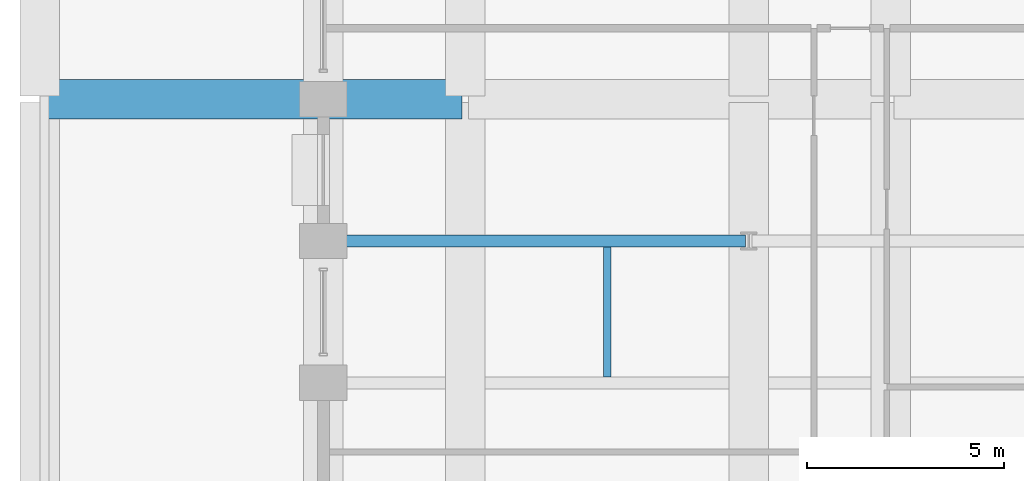
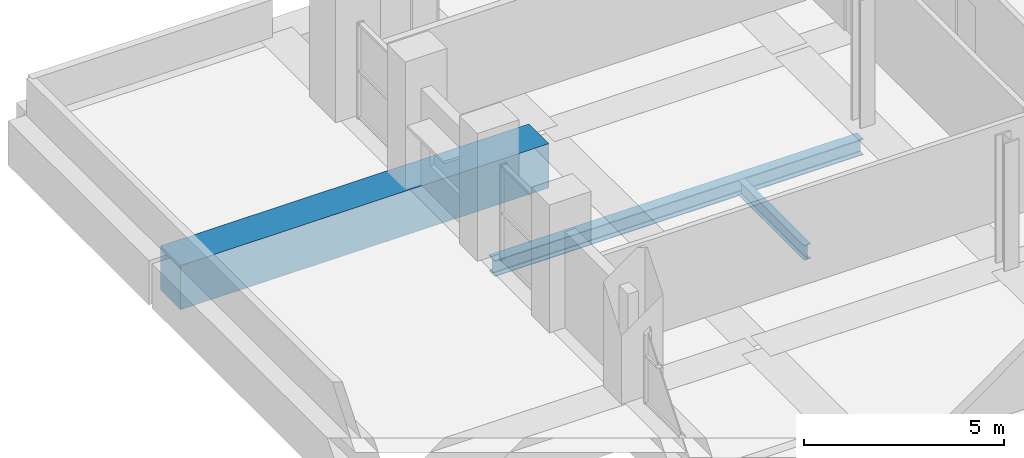
# One storey, part 22 of 39: 3 beams.
"""IFC4 building model written with IfcOpenShell, lengths in metres."""

from ifc_helpers import new_model, si_unit, direction, frame, origin, origin_2d, place, context, subcontext, project, spatial, rectangle, i_section, extrude, material, material_profile, profile_set, type_object, element, save


model = new_model("IFC4")

# Units and contexts
model_context = context("Model", 3, precision=1e-05, world=origin(), true_north=direction((0.0, 1.0)))
body_context = subcontext(model_context, "Body", "Model", "MODEL_VIEW")
ifc_project = project(units=[si_unit("LENGTHUNIT", "METRE"), si_unit("AREAUNIT", "SQUARE_METRE"), si_unit("VOLUMEUNIT", "CUBIC_METRE"), si_unit("PLANEANGLEUNIT", "RADIAN"), si_unit("MASSUNIT", "GRAM", prefix="KILO")], contexts=[model_context])

# Site, building, storey
site_placement = place(None, origin())
site = spatial("IfcSite", under=ifc_project, at=site_placement, CompositionType="ELEMENT")
building_placement = place(site_placement, origin())
building = spatial("IfcBuilding", under=site, at=building_placement, Name="Solnavia Interchange Tower", CompositionType="ELEMENT")
storey_placement = place(building_placement, frame((0.0, 0.0, 24.0)))
storey = spatial("IfcBuildingStorey", under=building, at=storey_placement, Name="L05", CompositionType="ELEMENT", Elevation=24.0)

# Beams
ifc_material_1 = material(Name="Steel S355", Category="steel")
ifc_material_profile_1 = material_profile(ifc_material_1, i_section(OverallWidth=0.18994140625, OverallDepth=0.449951171875, WebThickness=0.009521484375, FlangeThickness=0.0146484375, FilletRadius=0.02099609375, at=origin_2d()), Name="IPE 450")
ifc_profile_set_1 = profile_set([ifc_material_profile_1], Name="Steel S355")
beam_type_1 = type_object("IfcBeamType", Name="Beam-Joist-IPE450", PredefinedType="JOIST", material=ifc_profile_set_1)
beam_1_placement = place(storey_placement, frame((14.39990234375, 36.14990234375, -0.625), z_axis=(0.0, 1.0, 0.0), x_axis=(-1.0, 0.0, 0.0)))
element("IfcBeam", 1, at=beam_1_placement, inside=storey, type_object=beam_type_1, Name="JST-L05-N03 North wing secondary joist", PredefinedType="JOIST", context=body_context, shape_type="SweptSolid", body=[
    extrude(i_section(OverallWidth=0.18994140625, OverallDepth=0.449951171875, WebThickness=0.009521484375, FlangeThickness=0.0146484375, FilletRadius=0.02099609375, at=origin_2d()), origin(), (0.0, 0.0, 1.0), 3.300048828125),
])
ifc_material_profile_2 = material_profile(ifc_material_1, i_section(OverallWidth=0.300048828125, OverallDepth=0.489990234375, WebThickness=0.011962890625, FlangeThickness=0.02294921875, FilletRadius=0.027099609375, at=origin_2d()), Name="HEA 500")
ifc_profile_set_2 = profile_set([ifc_material_profile_2], Name="Steel S355")
beam_type_2 = type_object("IfcBeamType", Name="Beam-Primary-HEA500", PredefinedType="BEAM", material=ifc_profile_set_2)
beam_2_placement = place(storey_placement, frame((7.280029296875, 39.60009765625, -0.64501953125), z_axis=(1.0, 0.0, 0.0), x_axis=(0.0, 1.0, 0.0)))
element("IfcBeam", 2, at=beam_2_placement, inside=storey, type_object=beam_type_2, Name="GRD-L05-NW06 North wing primary floor girder", PredefinedType="BEAM", context=body_context, shape_type="SweptSolid", body=[
    extrude(i_section(OverallWidth=0.300048828125, OverallDepth=0.489990234375, WebThickness=0.011962890625, FlangeThickness=0.02294921875, FilletRadius=0.027099609375, at=origin_2d()), origin(), (0.0, 0.0, 1.0), 10.639892578125),
])
ifc_material_2 = material(Name="Concrete C60/75", Category="concrete")
ifc_material_profile_3 = material_profile(ifc_material_2, rectangle(XDim=1.0, YDim=1.35009765625, at=origin_2d()), Name="RC 1000x1350")
ifc_profile_set_3 = profile_set([ifc_material_profile_3], Name="Concrete C60/75")
beam_type_3 = type_object("IfcBeamType", Name="Beam-Transfer-RC1000x1350", PredefinedType="BEAM", material=ifc_profile_set_3)
beam_3_placement = place(storey_placement, frame((0.080078125, 43.199951171875, -0.675048828125), z_axis=(1.0, 0.0, 0.0), x_axis=(0.0, 1.0, 0.0)))
element("IfcBeam", 3, at=beam_3_placement, inside=storey, type_object=beam_type_3, Name="TRB-L05-24 North primary transfer girder", PredefinedType="BEAM", context=body_context, shape_type="SweptSolid", body=[
    extrude(rectangle(XDim=1.0, YDim=1.35009765625, at=origin_2d()), origin(), (0.0, 0.0, 1.0), 10.639892578125),
])

save(model, "model.ifc")
